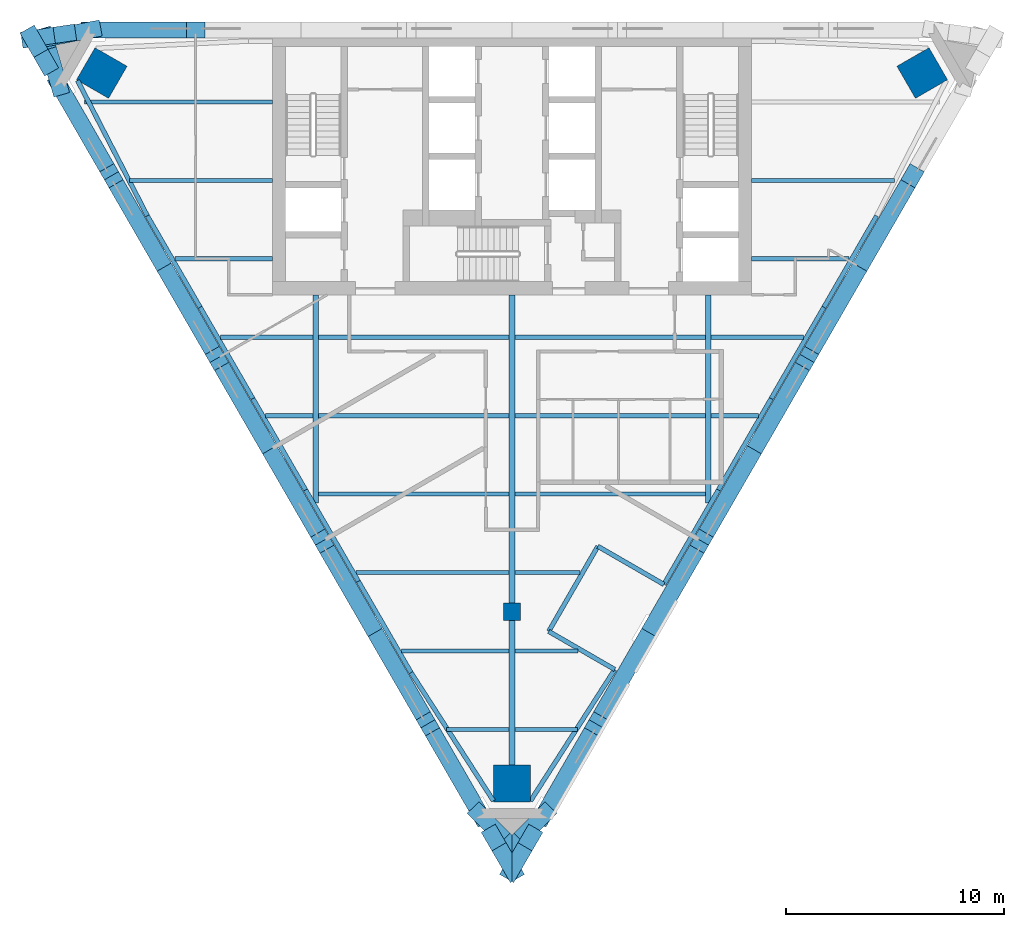
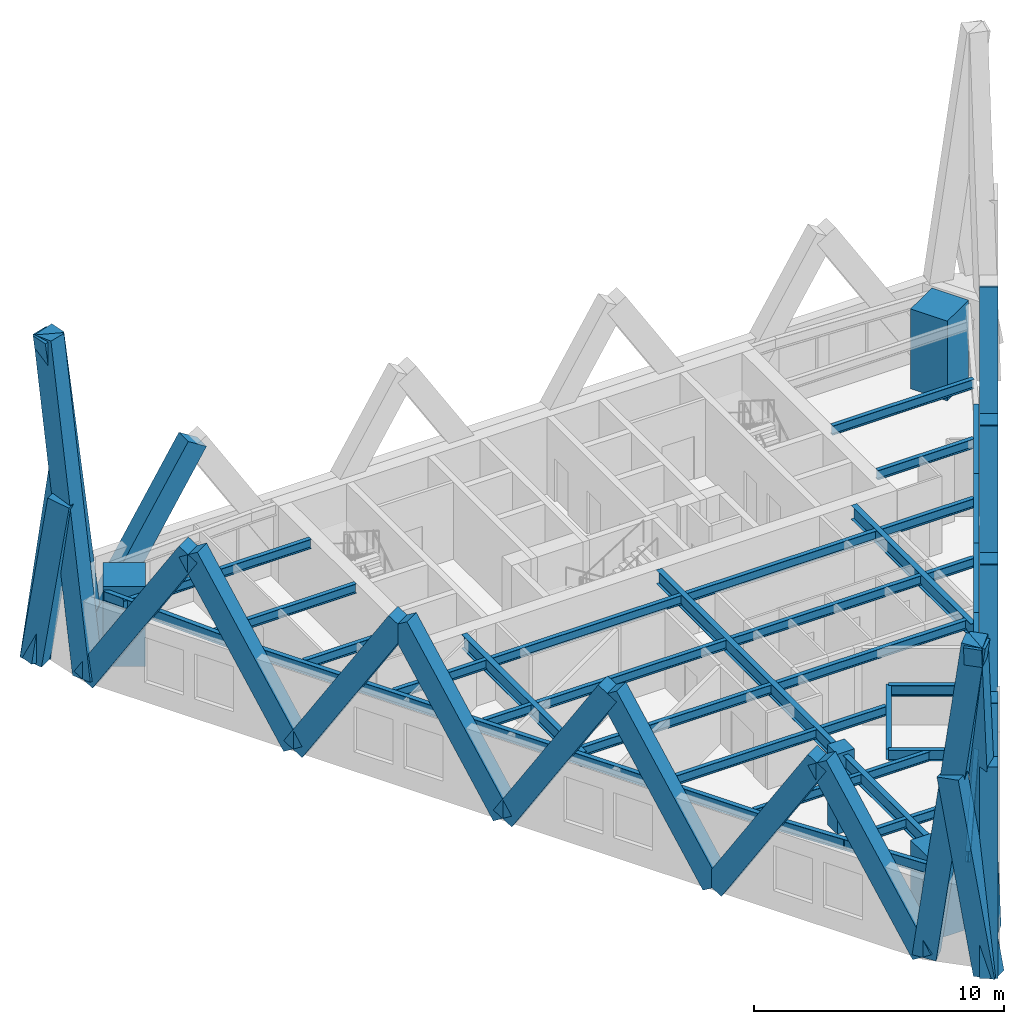
# One storey, part 1 of 7: 40 beams, 24 members, 4 columns.
"""IFC4 building model written with IfcOpenShell, lengths in metres."""

from ifc_helpers import new_model, si_unit, direction, frame, origin, origin_2d, place, context, subcontext, project, spatial, rectangle, i_section, extrude, material, material_profile, profile_set, type_object, element, save


model = new_model("IFC4")

# Units and contexts
model_context = context("Model", 3, precision=1e-05, world=origin(), true_north=direction((0.0, 1.0)))
body_context = subcontext(model_context, "Body", "Model", "MODEL_VIEW")
ifc_project = project(units=[si_unit("LENGTHUNIT", "METRE"), si_unit("AREAUNIT", "SQUARE_METRE"), si_unit("VOLUMEUNIT", "CUBIC_METRE"), si_unit("PLANEANGLEUNIT", "RADIAN"), si_unit("MASSUNIT", "GRAM", prefix="KILO")], contexts=[model_context])

# Site, building, storey
site_placement = place(None, origin())
site = spatial("IfcSite", under=ifc_project, at=site_placement, CompositionType="ELEMENT")
building_placement = place(site_placement, origin())
building = spatial("IfcBuilding", under=site, at=building_placement, Name="Aloe Facet Convention Tower", CompositionType="ELEMENT")
storey_placement = place(building_placement, frame((0.0, 0.0, 211.39990234375)))
storey = spatial("IfcBuildingStorey", under=building, at=storey_placement, Name="L53", CompositionType="ELEMENT", Elevation=211.39990234375)

# Columns
ifc_material_1 = material(Name="Concrete C70/85", Category="concrete")
ifc_material_profile_1 = material_profile(ifc_material_1, rectangle(XDim=0.800048828125, YDim=0.800048828125, at=origin_2d()), Name="SF-GC-Z4")
ifc_profile_set_1 = profile_set([ifc_material_profile_1], Name="Concrete C70/85")
column_type_1 = type_object("IfcColumnType", Name="SF-GC-Z4", PredefinedType="COLUMN", material=ifc_profile_set_1)
column_placement = place(storey_placement, frame((80.0, 108.0, 0.0), z_axis=(0.0, 0.0, 1.0), x_axis=(1.0, 0.0, 0.0)))
element("IfcColumn", 1, at=column_placement, inside=storey, type_object=column_type_1, Name="Gravity column GC-Z4-9D", PredefinedType="COLUMN", context=body_context, shape_type="SweptSolid", body=[
    extrude(rectangle(XDim=0.800048828125, YDim=0.800048828125, at=origin_2d()), origin(), (0.0, 0.0, 1.0), 3.900146484375),
])
ifc_material_2 = material(Name="Concrete C80/95", Category="concrete")
ifc_material_profile_2 = material_profile(ifc_material_2, rectangle(XDim=1.699951171875, YDim=1.699951171875, at=origin_2d()), Name="STW-MC-Z4")
ifc_profile_set_2 = profile_set([ifc_material_profile_2], Name="Concrete C80/95")
column_type_2 = type_object("IfcColumnType", Name="STW-MC-Z4", PredefinedType="COLUMN", material=ifc_profile_set_2)
for number, where, z_axis, x_axis, name in (
    (2, (98.828857421875, 132.727783203125, 0.0), (0.0, 0.0, 1.0), (-0.5, 0.866025403784, 0.0), "Mega-column MC-NE-L53"),
    (3, (61.171142578125, 132.727783203125, 0.0), (0.0, 0.0, 1.0), (-0.5, -0.866025403784, 0.0), "Mega-column MC-NW-L53"),
    (4, (80.0, 100.114990234375, 0.0), (0.0, 0.0, 1.0), (1.0, 0.0, 0.0), "Mega-column MC-S-L53"),
):
    element("IfcColumn", number, at=place(storey_placement, frame(where, z_axis=z_axis, x_axis=x_axis)), inside=storey, type_object=column_type_2, Name=name, PredefinedType="COLUMN", context=body_context, shape_type="SweptSolid", body=[
        extrude(rectangle(XDim=1.699951171875, YDim=1.699951171875, at=origin_2d()), origin(), (0.0, 0.0, 1.0), 3.900146484375),
    ])

# Beams
ifc_material_3 = material(Name="Steel S355", Category="steel")
ifc_material_profile_3 = material_profile(ifc_material_3, i_section(OverallWidth=0.19140625, OverallDepth=0.4599609375, WebThickness=0.010009765625, FlangeThickness=0.01611328125, FilletRadius=0.01025390625, at=origin_2d()), Name="UB 457x191x82")
ifc_profile_set_3 = profile_set([ifc_material_profile_3], Name="Steel S355")
beam_type_1 = type_object("IfcBeamType", Name="SF-B-UB457x191x82", PredefinedType="BEAM", material=ifc_profile_set_3)
beam_1_placement = place(storey_placement, frame((60.373779296875, 131.39990234375, 3.52001953125), z_axis=(1.0, 0.0, 0.0), x_axis=(0.0, 1.0, 0.0)))
element("IfcBeam", 5, at=beam_1_placement, inside=storey, type_object=beam_type_1, Name="Floor beam FB-Z4G-025", PredefinedType="BEAM", context=body_context, shape_type="SweptSolid", body=[
    extrude(i_section(OverallWidth=0.19140625, OverallDepth=0.4599609375, WebThickness=0.010009765625, FlangeThickness=0.01611328125, FilletRadius=0.01025390625, at=origin_2d()), origin(), (0.0, 0.0, 1.0), 8.626220703125),
])
beam_2_placement = place(storey_placement, frame((62.452392578125, 127.800048828125, 3.52001953125), z_axis=(1.0, 0.0, 0.0), x_axis=(0.0, 1.0, 0.0)))
element("IfcBeam", 6, at=beam_2_placement, inside=storey, type_object=beam_type_1, Name="Floor beam FB-Z4G-026", PredefinedType="BEAM", context=body_context, shape_type="SweptSolid", body=[
    extrude(i_section(OverallWidth=0.19140625, OverallDepth=0.4599609375, WebThickness=0.010009765625, FlangeThickness=0.01611328125, FilletRadius=0.01025390625, at=origin_2d()), origin(), (0.0, 0.0, 1.0), 6.547607421875),
])
beam_3_placement = place(storey_placement, frame((64.53076171875, 124.199951171875, 3.52001953125), z_axis=(1.0, 0.0, 0.0), x_axis=(0.0, 1.0, 0.0)))
element("IfcBeam", 7, at=beam_3_placement, inside=storey, type_object=beam_type_1, Name="Floor beam FB-Z4G-027", PredefinedType="BEAM", context=body_context, shape_type="SweptSolid", body=[
    extrude(i_section(OverallWidth=0.19140625, OverallDepth=0.4599609375, WebThickness=0.010009765625, FlangeThickness=0.01611328125, FilletRadius=0.01025390625, at=origin_2d()), origin(), (0.0, 0.0, 1.0), 4.46923828125),
])
beam_4_placement = place(storey_placement, frame((66.609130859375, 120.60009765625, 3.52001953125), z_axis=(1.0, 0.0, 0.0), x_axis=(0.0, 1.0, 0.0)))
element("IfcBeam", 8, at=beam_4_placement, inside=storey, type_object=beam_type_1, Name="Floor beam FB-Z4G-028", PredefinedType="BEAM", context=body_context, shape_type="SweptSolid", body=[
    extrude(i_section(OverallWidth=0.19140625, OverallDepth=0.4599609375, WebThickness=0.010009765625, FlangeThickness=0.01611328125, FilletRadius=0.01025390625, at=origin_2d()), origin(), (0.0, 0.0, 1.0), 4.264404296875),
])
beam_5_placement = place(storey_placement, frame((68.687744140625, 117.0, 3.52001953125), z_axis=(1.0, 0.0, 0.0), x_axis=(0.0, 1.0, 0.0)))
element("IfcBeam", 9, at=beam_5_placement, inside=storey, type_object=beam_type_1, Name="Floor beam FB-Z4G-029", PredefinedType="BEAM", context=body_context, shape_type="SweptSolid", body=[
    extrude(i_section(OverallWidth=0.19140625, OverallDepth=0.4599609375, WebThickness=0.010009765625, FlangeThickness=0.01611328125, FilletRadius=0.01025390625, at=origin_2d()), origin(), (0.0, 0.0, 1.0), 2.185791015625),
])
for number, where, z_axis, x_axis, name in (
    (10, (71.12646484375, 113.39990234375, 3.52001953125), (1.0, 0.0, 0.0), (0.0, 1.0, 0.0), "Floor beam FB-Z4G-030"),
    (11, (71.12646484375, 117.0, 3.52001953125), (1.0, 0.0, 0.0), (0.0, 1.0, 0.0), "Floor beam FB-Z4G-031"),
    (12, (71.12646484375, 120.60009765625, 3.52001953125), (1.0, 0.0, 0.0), (0.0, 1.0, 0.0), "Floor beam FB-Z4G-032"),
):
    element("IfcBeam", number, at=place(storey_placement, frame(where, z_axis=z_axis, x_axis=x_axis)), inside=storey, type_object=beam_type_1, Name=name, PredefinedType="BEAM", context=body_context, shape_type="SweptSolid", body=[
        extrude(i_section(OverallWidth=0.19140625, OverallDepth=0.4599609375, WebThickness=0.010009765625, FlangeThickness=0.01611328125, FilletRadius=0.01025390625, at=origin_2d()), origin(), (0.0, 0.0, 1.0), 8.7470703125),
    ])
beam_6_placement = place(storey_placement, frame((72.844482421875, 109.800048828125, 3.52001953125), z_axis=(1.0, 0.0, 0.0), x_axis=(0.0, 1.0, 0.0)))
element("IfcBeam", 13, at=beam_6_placement, inside=storey, type_object=beam_type_1, Name="Floor beam FB-Z4G-033", PredefinedType="BEAM", context=body_context, shape_type="SweptSolid", body=[
    extrude(i_section(OverallWidth=0.19140625, OverallDepth=0.4599609375, WebThickness=0.010009765625, FlangeThickness=0.01611328125, FilletRadius=0.01025390625, at=origin_2d()), origin(), (0.0, 0.0, 1.0), 7.029052734375),
])
beam_7_placement = place(storey_placement, frame((74.923095703125, 106.199951171875, 3.52001953125), z_axis=(1.0, 0.0, 0.0), x_axis=(0.0, 1.0, 0.0)))
element("IfcBeam", 14, at=beam_7_placement, inside=storey, type_object=beam_type_1, Name="Floor beam FB-Z4G-034", PredefinedType="BEAM", context=body_context, shape_type="SweptSolid", body=[
    extrude(i_section(OverallWidth=0.19140625, OverallDepth=0.4599609375, WebThickness=0.010009765625, FlangeThickness=0.01611328125, FilletRadius=0.01025390625, at=origin_2d()), origin(), (0.0, 0.0, 1.0), 4.950439453125),
])
for number, where, z_axis, x_axis, name in (
    (15, (77.00146484375, 102.60009765625, 3.52001953125), (1.0, 0.0, 0.0), (0.0, 1.0, 0.0), "Floor beam FB-Z4G-035"),
    (16, (80.12646484375, 102.60009765625, 3.52001953125), (1.0, 0.0, 0.0), (0.0, 1.0, 0.0), "Floor beam FB-Z4G-036"),
):
    element("IfcBeam", number, at=place(storey_placement, frame(where, z_axis=z_axis, x_axis=x_axis)), inside=storey, type_object=beam_type_1, Name=name, PredefinedType="BEAM", context=body_context, shape_type="SweptSolid", body=[
        extrude(i_section(OverallWidth=0.19140625, OverallDepth=0.4599609375, WebThickness=0.010009765625, FlangeThickness=0.01611328125, FilletRadius=0.01025390625, at=origin_2d()), origin(), (0.0, 0.0, 1.0), 2.8720703125),
    ])
beam_8_placement = place(storey_placement, frame((80.12646484375, 106.199951171875, 3.52001953125), z_axis=(1.0, 0.0, 0.0), x_axis=(0.0, 1.0, 0.0)))
element("IfcBeam", 17, at=beam_8_placement, inside=storey, type_object=beam_type_1, Name="Floor beam FB-Z4G-037", PredefinedType="BEAM", context=body_context, shape_type="SweptSolid", body=[
    extrude(i_section(OverallWidth=0.19140625, OverallDepth=0.4599609375, WebThickness=0.010009765625, FlangeThickness=0.01611328125, FilletRadius=0.01025390625, at=origin_2d()), origin(), (0.0, 0.0, 1.0), 2.898681640625),
])
beam_9_placement = place(storey_placement, frame((80.12646484375, 109.800048828125, 3.52001953125), z_axis=(1.0, 0.0, 0.0), x_axis=(0.0, 1.0, 0.0)))
element("IfcBeam", 18, at=beam_9_placement, inside=storey, type_object=beam_type_1, Name="Floor beam FB-Z4G-038", PredefinedType="BEAM", context=body_context, shape_type="SweptSolid", body=[
    extrude(i_section(OverallWidth=0.19140625, OverallDepth=0.4599609375, WebThickness=0.010009765625, FlangeThickness=0.01611328125, FilletRadius=0.01025390625, at=origin_2d()), origin(), (0.0, 0.0, 1.0), 2.987548828125),
])
for number, where, z_axis, x_axis, name in (
    (19, (80.12646484375, 113.39990234375, 3.52001953125), (1.0, 0.0, 0.0), (0.0, 1.0, 0.0), "Floor beam FB-Z4G-039"),
    (20, (80.12646484375, 117.0, 3.52001953125), (1.0, 0.0, 0.0), (0.0, 1.0, 0.0), "Floor beam FB-Z4G-040"),
    (21, (80.12646484375, 120.60009765625, 3.52001953125), (1.0, 0.0, 0.0), (0.0, 1.0, 0.0), "Floor beam FB-Z4G-041"),
):
    element("IfcBeam", number, at=place(storey_placement, frame(where, z_axis=z_axis, x_axis=x_axis)), inside=storey, type_object=beam_type_1, Name=name, PredefinedType="BEAM", context=body_context, shape_type="SweptSolid", body=[
        extrude(i_section(OverallWidth=0.19140625, OverallDepth=0.4599609375, WebThickness=0.010009765625, FlangeThickness=0.01611328125, FilletRadius=0.01025390625, at=origin_2d()), origin(), (0.0, 0.0, 1.0), 8.7470703125),
    ])
beam_10_placement = place(storey_placement, frame((89.12646484375, 117.0, 3.52001953125), z_axis=(1.0, 0.0, 0.0), x_axis=(0.0, 1.0, 0.0)))
element("IfcBeam", 22, at=beam_10_placement, inside=storey, type_object=beam_type_1, Name="Floor beam FB-Z4G-042", PredefinedType="BEAM", context=body_context, shape_type="SweptSolid", body=[
    extrude(i_section(OverallWidth=0.19140625, OverallDepth=0.4599609375, WebThickness=0.010009765625, FlangeThickness=0.01611328125, FilletRadius=0.01025390625, at=origin_2d()), origin(), (0.0, 0.0, 1.0), 2.185791015625),
])
beam_11_placement = place(storey_placement, frame((89.12646484375, 120.60009765625, 3.52001953125), z_axis=(1.0, 0.0, 0.0), x_axis=(0.0, 1.0, 0.0)))
element("IfcBeam", 23, at=beam_11_placement, inside=storey, type_object=beam_type_1, Name="Floor beam FB-Z4G-043", PredefinedType="BEAM", context=body_context, shape_type="SweptSolid", body=[
    extrude(i_section(OverallWidth=0.19140625, OverallDepth=0.4599609375, WebThickness=0.010009765625, FlangeThickness=0.01611328125, FilletRadius=0.01025390625, at=origin_2d()), origin(), (0.0, 0.0, 1.0), 4.264404296875),
])
beam_12_placement = place(storey_placement, frame((91.0, 124.199951171875, 3.52001953125), z_axis=(1.0, 0.0, 0.0), x_axis=(0.0, 1.0, 0.0)))
element("IfcBeam", 24, at=beam_12_placement, inside=storey, type_object=beam_type_1, Name="Floor beam FB-Z4G-044", PredefinedType="BEAM", context=body_context, shape_type="SweptSolid", body=[
    extrude(i_section(OverallWidth=0.19140625, OverallDepth=0.4599609375, WebThickness=0.010009765625, FlangeThickness=0.01611328125, FilletRadius=0.01025390625, at=origin_2d()), origin(), (0.0, 0.0, 1.0), 4.46923828125),
])
beam_13_placement = place(storey_placement, frame((91.0, 127.800048828125, 3.52001953125), z_axis=(1.0, 0.0, 0.0), x_axis=(0.0, 1.0, 0.0)))
element("IfcBeam", 25, at=beam_13_placement, inside=storey, type_object=beam_type_1, Name="Floor beam FB-Z4G-045", PredefinedType="BEAM", context=body_context, shape_type="SweptSolid", body=[
    extrude(i_section(OverallWidth=0.19140625, OverallDepth=0.4599609375, WebThickness=0.010009765625, FlangeThickness=0.01611328125, FilletRadius=0.01025390625, at=origin_2d()), origin(), (0.0, 0.0, 1.0), 6.547607421875),
])
ifc_material_4 = material(Name="Steel S355", Category="steel")
ifc_material_profile_4 = material_profile(ifc_material_4, i_section(OverallWidth=0.209228515625, OverallDepth=0.533203125, WebThickness=0.010009765625, FlangeThickness=0.015625, FilletRadius=0.0126953125, at=origin_2d()), Name="UB 533x210x92")
ifc_profile_set_4 = profile_set([ifc_material_profile_4], Name="Steel S355")
beam_type_2 = type_object("IfcBeamType", Name="SF-B-UB533x210x92", PredefinedType="BEAM", material=ifc_profile_set_4)
beam_14_placement = place(storey_placement, frame((63.26318359375, 126.1689453125, 3.483642578125), z_axis=(-0.458134533977, 0.888882865611, 0.0), x_axis=(-0.888882865611, -0.458134533977, 0.0)))
element("IfcBeam", 26, at=beam_14_placement, inside=storey, type_object=beam_type_2, Name="Floor beam FB-Z4G-002", PredefinedType="BEAM", context=body_context, shape_type="SweptSolid", body=[
    extrude(i_section(OverallWidth=0.209228515625, OverallDepth=0.533203125, WebThickness=0.010009765625, FlangeThickness=0.015625, FilletRadius=0.0126953125, at=origin_2d()), origin(), (0.0, 0.0, 1.0), 6.998046875),
])
for number, where, z_axis, x_axis, name in (
    (27, (65.68359375, 121.976318359375, 3.483642578125), (-0.499968373182, 0.866043662766, 0.0), (-0.866043662766, -0.499968373182, 0.0), "Floor beam FB-Z4G-003"),
    (28, (68.104248046875, 117.783935546875, 3.483642578125), (-0.500028033741, 0.866009217892, 0.0), (-0.866009217892, -0.500028033741, 0.0), "Floor beam FB-Z4G-005"),
):
    element("IfcBeam", number, at=place(storey_placement, frame(where, z_axis=z_axis, x_axis=x_axis)), inside=storey, type_object=beam_type_2, Name=name, PredefinedType="BEAM", context=body_context, shape_type="SweptSolid", body=[
        extrude(i_section(OverallWidth=0.209228515625, OverallDepth=0.533203125, WebThickness=0.010009765625, FlangeThickness=0.015625, FilletRadius=0.0126953125, at=origin_2d()), origin(), (0.0, 0.0, 1.0), 4.841064453125),
    ])
beam_15_placement = place(storey_placement, frame((70.52490234375, 113.59130859375, 3.483642578125), z_axis=(-0.500006196252, 0.866021826347, 0.0), x_axis=(-0.866021826347, -0.500006196252, 0.0)))
element("IfcBeam", 29, at=beam_15_placement, inside=storey, type_object=beam_type_2, Name="Floor beam FB-Z4G-006", PredefinedType="BEAM", context=body_context, shape_type="SweptSolid", body=[
    extrude(i_section(OverallWidth=0.209228515625, OverallDepth=0.533203125, WebThickness=0.010009765625, FlangeThickness=0.015625, FilletRadius=0.0126953125, at=origin_2d()), origin(), (0.0, 0.0, 1.0), 4.84130859375),
])
for number, where, z_axis, x_axis, name in (
    (30, (72.9453125, 109.398681640625, 3.483642578125), (-0.499968373182, 0.866043662766, 0.0), (-0.866043662766, -0.499968373182, 0.0), "Floor beam FB-Z4G-007"),
    (31, (75.365966796875, 105.206298828125, 3.483642578125), (-0.500028033741, 0.866009217892, 0.0), (-0.866009217892, -0.500028033741, 0.0), "Floor beam FB-Z4G-008"),
):
    element("IfcBeam", number, at=place(storey_placement, frame(where, z_axis=z_axis, x_axis=x_axis)), inside=storey, type_object=beam_type_2, Name=name, PredefinedType="BEAM", context=body_context, shape_type="SweptSolid", body=[
        extrude(i_section(OverallWidth=0.209228515625, OverallDepth=0.533203125, WebThickness=0.010009765625, FlangeThickness=0.015625, FilletRadius=0.0126953125, at=origin_2d()), origin(), (0.0, 0.0, 1.0), 4.841064453125),
    ])
beam_16_placement = place(storey_placement, frame((79.14990234375, 99.319580078125, 3.483642578125), z_axis=(-0.540718799045, 0.841203411999, 0.0), x_axis=(-0.841203411999, -0.540718799045, 0.0)))
element("IfcBeam", 32, at=beam_16_placement, inside=storey, type_object=beam_type_2, Name="Floor beam FB-Z4G-009", PredefinedType="BEAM", context=body_context, shape_type="SweptSolid", body=[
    extrude(i_section(OverallWidth=0.209228515625, OverallDepth=0.533203125, WebThickness=0.010009765625, FlangeThickness=0.015625, FilletRadius=0.0126953125, at=origin_2d()), origin(), (0.0, 0.0, 1.0), 6.998046875),
])
beam_17_placement = place(storey_placement, frame((81.685791015625, 107.099853515625, 3.483642578125), z_axis=(0.866036909293, -0.499980071345, 0.0), x_axis=(0.499980071345, 0.866036909293, 0.0)))
element("IfcBeam", 33, at=beam_17_placement, inside=storey, type_object=beam_type_2, Name="Floor beam FB-Z4G-010", PredefinedType="BEAM", context=body_context, shape_type="SweptSolid", body=[
    extrude(i_section(OverallWidth=0.209228515625, OverallDepth=0.533203125, WebThickness=0.010009765625, FlangeThickness=0.015625, FilletRadius=0.0126953125, at=origin_2d()), origin(), (0.0, 0.0, 1.0), 3.500244140625),
])
beam_18_placement = place(storey_placement, frame((83.9404296875, 111.0048828125, 3.483642578125), z_axis=(-0.500011469263, -0.866018781901, 0.0), x_axis=(0.866018781901, -0.500011469263, 0.0)))
element("IfcBeam", 34, at=beam_18_placement, inside=storey, type_object=beam_type_2, Name="Floor beam FB-Z4G-011", PredefinedType="BEAM", context=body_context, shape_type="SweptSolid", body=[
    extrude(i_section(OverallWidth=0.209228515625, OverallDepth=0.533203125, WebThickness=0.010009765625, FlangeThickness=0.015625, FilletRadius=0.0126953125, at=origin_2d()), origin(), (0.0, 0.0, 1.0), 4.50927734375),
])
beam_19_placement = place(storey_placement, frame((84.717041015625, 105.349853515625, 3.483642578125), z_axis=(-0.539802985914, -0.84179138532, 0.0), x_axis=(0.84179138532, -0.539802985914, 0.0)))
element("IfcBeam", 35, at=beam_19_placement, inside=storey, type_object=beam_type_2, Name="Floor beam FB-Z4G-012", PredefinedType="BEAM", context=body_context, shape_type="SweptSolid", body=[
    extrude(i_section(OverallWidth=0.209228515625, OverallDepth=0.533203125, WebThickness=0.010009765625, FlangeThickness=0.015625, FilletRadius=0.0126953125, at=origin_2d()), origin(), (0.0, 0.0, 1.0), 7.16357421875),
])
beam_20_placement = place(storey_placement, frame((86.9716796875, 109.2548828125, 3.483642578125), z_axis=(-0.866036909293, 0.499980071345, 0.0), x_axis=(-0.499980071345, -0.866036909293, 0.0)))
element("IfcBeam", 36, at=beam_20_placement, inside=storey, type_object=beam_type_2, Name="Floor beam FB-Z4G-013", PredefinedType="BEAM", context=body_context, shape_type="SweptSolid", body=[
    extrude(i_section(OverallWidth=0.209228515625, OverallDepth=0.533203125, WebThickness=0.010009765625, FlangeThickness=0.015625, FilletRadius=0.0126953125, at=origin_2d()), origin(), (0.0, 0.0, 1.0), 3.500244140625),
])
beam_21_placement = place(storey_placement, frame((89.47509765625, 113.59130859375, 3.483642578125), z_axis=(-0.499967253055, -0.866044309417, 0.0), x_axis=(0.866044309417, -0.499967253055, 0.0)))
element("IfcBeam", 37, at=beam_21_placement, inside=storey, type_object=beam_type_2, Name="Floor beam FB-Z4G-014", PredefinedType="BEAM", context=body_context, shape_type="SweptSolid", body=[
    extrude(i_section(OverallWidth=0.209228515625, OverallDepth=0.533203125, WebThickness=0.010009765625, FlangeThickness=0.015625, FilletRadius=0.0126953125, at=origin_2d()), origin(), (0.0, 0.0, 1.0), 5.007080078125),
])
beam_22_placement = place(storey_placement, frame((91.895751953125, 117.783935546875, 3.483642578125), z_axis=(-0.500006196252, -0.866021826347, 0.0), x_axis=(0.866021826347, -0.500006196252, 0.0)))
element("IfcBeam", 38, at=beam_22_placement, inside=storey, type_object=beam_type_2, Name="Floor beam FB-Z4G-016", PredefinedType="BEAM", context=body_context, shape_type="SweptSolid", body=[
    extrude(i_section(OverallWidth=0.209228515625, OverallDepth=0.533203125, WebThickness=0.010009765625, FlangeThickness=0.015625, FilletRadius=0.0126953125, at=origin_2d()), origin(), (0.0, 0.0, 1.0), 4.84130859375),
])
for number, where, z_axis, x_axis, name in (
    (39, (94.31640625, 121.976318359375, 3.483642578125), (-0.500028033741, -0.866009217892, 0.0), (0.866009217892, -0.500028033741, 0.0), "Floor beam FB-Z4G-018"),
    (40, (96.73681640625, 126.1689453125, 3.483642578125), (-0.499968373182, -0.866043662766, 0.0), (0.866043662766, -0.499968373182, 0.0), "Floor beam FB-Z4G-019"),
):
    element("IfcBeam", number, at=place(storey_placement, frame(where, z_axis=z_axis, x_axis=x_axis)), inside=storey, type_object=beam_type_2, Name=name, PredefinedType="BEAM", context=body_context, shape_type="SweptSolid", body=[
        extrude(i_section(OverallWidth=0.209228515625, OverallDepth=0.533203125, WebThickness=0.010009765625, FlangeThickness=0.015625, FilletRadius=0.0126953125, at=origin_2d()), origin(), (0.0, 0.0, 1.0), 4.841064453125),
    ])
ifc_material_5 = material(Name="Steel S355", Category="steel")
ifc_material_profile_5 = material_profile(ifc_material_5, i_section(OverallWidth=0.2529296875, OverallDepth=0.677978515625, WebThickness=0.01171875, FlangeThickness=0.01611328125, FilletRadius=0.01513671875, at=origin_2d()), Name="UB 686x254x125")
ifc_profile_set_5 = profile_set([ifc_material_profile_5], Name="Steel S355")
beam_type_3 = type_object("IfcBeamType", Name="SF-B-UB686x254x125", PredefinedType="BEAM", material=ifc_profile_set_5)
beam_23_placement = place(storey_placement, frame((71.0, 122.550048828125, 3.4111328125), z_axis=(0.0, -1.0, 0.0), x_axis=(1.0, 0.0, 0.0)))
element("IfcBeam", 41, at=beam_23_placement, inside=storey, type_object=beam_type_3, Name="Floor beam FB-Z4G-021", PredefinedType="BEAM", context=body_context, shape_type="SweptSolid", body=[
    extrude(i_section(OverallWidth=0.2529296875, OverallDepth=0.677978515625, WebThickness=0.01171875, FlangeThickness=0.01611328125, FilletRadius=0.01513671875, at=origin_2d()), origin(), (0.0, 0.0, 1.0), 9.5625),
])
beam_24_placement = place(storey_placement, frame((80.0, 107.60009765625, 3.4111328125), z_axis=(0.0, -1.0, 0.0), x_axis=(1.0, 0.0, 0.0)))
element("IfcBeam", 42, at=beam_24_placement, inside=storey, type_object=beam_type_3, Name="Floor beam FB-Z4G-022", PredefinedType="BEAM", context=body_context, shape_type="SweptSolid", body=[
    extrude(i_section(OverallWidth=0.2529296875, OverallDepth=0.677978515625, WebThickness=0.01171875, FlangeThickness=0.01611328125, FilletRadius=0.01513671875, at=origin_2d()), origin(), (0.0, 0.0, 1.0), 8.165771484375),
])
beam_25_placement = place(storey_placement, frame((80.0, 122.550048828125, 3.4111328125), z_axis=(0.0, -1.0, 0.0), x_axis=(1.0, 0.0, 0.0)))
element("IfcBeam", 43, at=beam_25_placement, inside=storey, type_object=beam_type_3, Name="Floor beam FB-Z4G-023", PredefinedType="BEAM", context=body_context, shape_type="SweptSolid", body=[
    extrude(i_section(OverallWidth=0.2529296875, OverallDepth=0.677978515625, WebThickness=0.01171875, FlangeThickness=0.01611328125, FilletRadius=0.01513671875, at=origin_2d()), origin(), (0.0, 0.0, 1.0), 14.150146484375),
])
beam_26_placement = place(storey_placement, frame((89.0, 122.550048828125, 3.4111328125), z_axis=(0.0, -1.0, 0.0), x_axis=(1.0, 0.0, 0.0)))
element("IfcBeam", 44, at=beam_26_placement, inside=storey, type_object=beam_type_3, Name="Floor beam FB-Z4G-024", PredefinedType="BEAM", context=body_context, shape_type="SweptSolid", body=[
    extrude(i_section(OverallWidth=0.2529296875, OverallDepth=0.677978515625, WebThickness=0.01171875, FlangeThickness=0.01611328125, FilletRadius=0.01513671875, at=origin_2d()), origin(), (0.0, 0.0, 1.0), 9.5625),
])

# Members
ifc_material_6 = material(Name="Concrete C60/75, bronze oxide finish", Category="concrete")
ifc_material_profile_6 = material_profile(ifc_material_6, rectangle(XDim=0.75, YDim=1.0, at=origin_2d()), Name="STW-LM")
ifc_profile_set_6 = profile_set([ifc_material_profile_6], Name="Concrete C60/75, bronze oxide finish")
member_type = type_object("IfcMemberType", Name="STW-LM", PredefinedType="BRACE", material=ifc_profile_set_6)
for number, where, z_axis, x_axis, name in (
    (45, (60.635498046875, 134.699951171875, 0.0), (0.52733571948, 0.0, 0.849657012541), (0.0, 1.0, 0.0), "Lattice member LM-Z4-F1-R4-08"),
    (46, (59.1953125, 132.20556640625, 0.0), (0.263653622482, -0.456699985767, 0.84965398272), (0.866043662766, 0.499968373182, 0.0), "Lattice member LM-Z4-F2-R4-01"),
):
    element("IfcMember", number, at=place(storey_placement, frame(where, z_axis=z_axis, x_axis=x_axis)), inside=storey, type_object=member_type, Name=name, PredefinedType="BRACE", context=body_context, shape_type="SweptSolid", body=[
        extrude(rectangle(XDim=0.75, YDim=1.0, at=origin_2d()), origin(), (0.0, 0.0, 1.0), 9.18017578125),
    ])
member_1_placement = place(storey_placement, frame((64.036376953125, 123.8203125, 0.0), z_axis=(-0.263678367654, 0.456696783431, 0.849648025029), x_axis=(-0.866021826347, -0.500006196252, 0.0)))
element("IfcMember", 47, at=member_1_placement, inside=storey, type_object=member_type, Name="Lattice member LM-Z4-F2-R4-02", PredefinedType="BRACE", context=body_context, shape_type="SweptSolid", body=[
    extrude(rectangle(XDim=0.75, YDim=1.0, at=origin_2d()), origin(), (0.0, 0.0, 1.0), 9.180419921875),
])
for number, where, z_axis, x_axis, name in (
    (48, (64.036376953125, 123.8203125, 0.0), (0.263681570082, -0.456675735901, 0.849658344182), (0.866009217892, 0.500028033741, 0.0), "Lattice member LM-Z4-F2-R4-03"),
    (49, (68.87744140625, 115.435302734375, 0.0), (-0.263653622482, 0.456699985767, 0.84965398272), (-0.866043662766, -0.499968373182, 0.0), "Lattice member LM-Z4-F2-R4-04"),
):
    element("IfcMember", number, at=place(storey_placement, frame(where, z_axis=z_axis, x_axis=x_axis)), inside=storey, type_object=member_type, Name=name, PredefinedType="BRACE", context=body_context, shape_type="SweptSolid", body=[
        extrude(rectangle(XDim=0.75, YDim=1.0, at=origin_2d()), origin(), (0.0, 0.0, 1.0), 9.18017578125),
    ])
for number, where, z_axis, x_axis, name in (
    (50, (68.87744140625, 115.435302734375, 0.0), (0.263678367654, -0.456696783431, 0.849648025029), (0.866021826347, 0.500006196252, 0.0), "Lattice member LM-Z4-F2-R4-05"),
    (51, (73.71875, 107.050048828125, 0.0), (-0.263678367654, 0.456696783431, 0.849648025029), (-0.866021826347, -0.500006196252, 0.0), "Lattice member LM-Z4-F2-R4-06"),
):
    element("IfcMember", number, at=place(storey_placement, frame(where, z_axis=z_axis, x_axis=x_axis)), inside=storey, type_object=member_type, Name=name, PredefinedType="BRACE", context=body_context, shape_type="SweptSolid", body=[
        extrude(rectangle(XDim=0.75, YDim=1.0, at=origin_2d()), origin(), (0.0, 0.0, 1.0), 9.180419921875),
    ])
member_2_placement = place(storey_placement, frame((73.71875, 107.050048828125, 0.0), z_axis=(0.263656824656, -0.456678938167, 0.849664302091), x_axis=(0.8660310559, 0.499990210121, 0.0)))
element("IfcMember", 52, at=member_2_placement, inside=storey, type_object=member_type, Name="Lattice member LM-Z4-F2-R4-07", PredefinedType="BRACE", context=body_context, shape_type="SweptSolid", body=[
    extrude(rectangle(XDim=0.75, YDim=1.0, at=origin_2d()), origin(), (0.0, 0.0, 1.0), 9.18017578125),
])
for number, where, z_axis, x_axis, name in (
    (53, (78.559814453125, 98.6650390625, 0.0), (-0.263678367654, 0.456696783431, 0.849648025029), (-0.866021826347, -0.500006196252, 0.0), "Lattice member LM-Z4-F2-R4-08"),
    (54, (81.440185546875, 98.6650390625, 0.0), (0.263678367654, 0.456696783431, 0.849648025029), (-0.866021826347, 0.500006196252, 0.0), "Lattice member LM-Z4-F3-R4-01"),
):
    element("IfcMember", number, at=place(storey_placement, frame(where, z_axis=z_axis, x_axis=x_axis)), inside=storey, type_object=member_type, Name=name, PredefinedType="BRACE", context=body_context, shape_type="SweptSolid", body=[
        extrude(rectangle(XDim=0.75, YDim=1.0, at=origin_2d()), origin(), (0.0, 0.0, 1.0), 9.180419921875),
    ])
member_3_placement = place(storey_placement, frame((86.28125, 107.050048828125, 0.0), z_axis=(-0.263656824656, -0.456678938167, 0.849664302091), x_axis=(0.8660310559, -0.499990210121, 0.0)))
element("IfcMember", 55, at=member_3_placement, inside=storey, type_object=member_type, Name="Lattice member LM-Z4-F3-R4-02", PredefinedType="BRACE", context=body_context, shape_type="SweptSolid", body=[
    extrude(rectangle(XDim=0.75, YDim=1.0, at=origin_2d()), origin(), (0.0, 0.0, 1.0), 9.18017578125),
])
for number, where, z_axis, x_axis, name in (
    (56, (86.28125, 107.050048828125, 0.0), (0.263678367654, 0.456696783431, 0.849648025029), (-0.866021826347, 0.500006196252, 0.0), "Lattice member LM-Z4-F3-R4-03"),
    (57, (91.12255859375, 115.435302734375, 0.0), (-0.263678367654, -0.456696783431, 0.849648025029), (0.866021826347, -0.500006196252, 0.0), "Lattice member LM-Z4-F3-R4-04"),
):
    element("IfcMember", number, at=place(storey_placement, frame(where, z_axis=z_axis, x_axis=x_axis)), inside=storey, type_object=member_type, Name=name, PredefinedType="BRACE", context=body_context, shape_type="SweptSolid", body=[
        extrude(rectangle(XDim=0.75, YDim=1.0, at=origin_2d()), origin(), (0.0, 0.0, 1.0), 9.180419921875),
    ])
for number, where, z_axis, x_axis, name in (
    (58, (91.12255859375, 115.435302734375, 0.0), (0.263653622482, 0.456699985767, 0.84965398272), (-0.866043662766, 0.499968373182, 0.0), "Lattice member LM-Z4-F3-R4-05"),
    (59, (95.963623046875, 123.8203125, 0.0), (-0.263681570082, -0.456675735901, 0.849658344182), (0.866009217892, -0.500028033741, 0.0), "Lattice member LM-Z4-F3-R4-06"),
):
    element("IfcMember", number, at=place(storey_placement, frame(where, z_axis=z_axis, x_axis=x_axis)), inside=storey, type_object=member_type, Name=name, PredefinedType="BRACE", context=body_context, shape_type="SweptSolid", body=[
        extrude(rectangle(XDim=0.75, YDim=1.0, at=origin_2d()), origin(), (0.0, 0.0, 1.0), 9.18017578125),
    ])
member_4_placement = place(storey_placement, frame((95.963623046875, 123.8203125, 0.0), z_axis=(0.263678367654, 0.456696783431, 0.849648025029), x_axis=(-0.866021826347, 0.500006196252, 0.0)))
element("IfcMember", 60, at=member_4_placement, inside=storey, type_object=member_type, Name="Lattice member LM-Z4-F3-R4-07", PredefinedType="BRACE", context=body_context, shape_type="SweptSolid", body=[
    extrude(rectangle(XDim=0.75, YDim=1.0, at=origin_2d()), origin(), (0.0, 0.0, 1.0), 9.180419921875),
])
member_5_placement = place(storey_placement, frame((60.635498046875, 134.699951171875, 0.0), z_axis=(-0.129992376301, -0.025005693389, 0.991199625404), x_axis=(0.188899549166, -0.981996415638, 0.0)))
element("IfcMember", 61, at=member_5_placement, inside=storey, type_object=member_type, Name="Lattice member LM-Z4-F4-R4-01", PredefinedType="BRACE", context=body_context, shape_type="SweptSolid", body=[
    extrude(rectangle(XDim=0.75, YDim=1.0, at=origin_2d()), origin(), (0.0, 0.0, 1.0), 15.738525390625),
])
member_6_placement = place(storey_placement, frame((57.98876953125, 134.311767578125, 0.0), z_axis=(0.16722746671, 0.024528524239, 0.985613172536), x_axis=(-0.145124781658, 0.989413360405, 0.0)))
element("IfcMember", 62, at=member_6_placement, inside=storey, type_object=member_type, Name="Lattice member LM-Z4-F4-R4-02", PredefinedType="BRACE", context=body_context, shape_type="SweptSolid", body=[
    extrude(rectangle(XDim=0.75, YDim=1.0, at=origin_2d()), origin(), (0.0, 0.0, 1.0), 8.898193359375),
])
member_7_placement = place(storey_placement, frame((59.1953125, 132.20556640625, 0.0), z_axis=(-0.038451690039, 0.133364285684, 0.990320874685), x_axis=(-0.960859609516, -0.277035757259, 0.0)))
element("IfcMember", 63, at=member_7_placement, inside=storey, type_object=member_type, Name="Lattice member LM-Z4-F4-R4-03", PredefinedType="BRACE", context=body_context, shape_type="SweptSolid", body=[
    extrude(rectangle(XDim=0.75, YDim=1.0, at=origin_2d()), origin(), (0.0, 0.0, 1.0), 15.752685546875),
])
member_8_placement = place(storey_placement, frame((57.98876953125, 134.311767578125, 0.0), z_axis=(0.076406185436, -0.133402498246, 0.988112275143), x_axis=(0.867749030255, 0.497002636303, 0.0)))
element("IfcMember", 64, at=member_8_placement, inside=storey, type_object=member_type, Name="Lattice member LM-Z4-F4-R4-04", PredefinedType="BRACE", context=body_context, shape_type="SweptSolid", body=[
    extrude(rectangle(XDim=0.75, YDim=1.0, at=origin_2d()), origin(), (0.0, 0.0, 1.0), 8.314208984375),
])
member_9_placement = place(storey_placement, frame((78.559814453125, 98.6650390625, 0.0), z_axis=(0.091540548018, -0.091726763745, 0.991567712706), x_axis=(0.707824898553, 0.706387933779, 0.0)))
element("IfcMember", 65, at=member_9_placement, inside=storey, type_object=member_type, Name="Lattice member LM-Z4-F5-R4-01", PredefinedType="BRACE", context=body_context, shape_type="SweptSolid", body=[
    extrude(rectangle(XDim=0.75, YDim=1.0, at=origin_2d()), origin(), (0.0, 0.0, 1.0), 15.732666015625),
])
member_10_placement = place(storey_placement, frame((80.0, 96.185302734375, 0.0), z_axis=(-0.090800762179, 0.156333854928, 0.983521706619), x_axis=(-0.864725851809, -0.502244164937, 0.0)))
element("IfcMember", 66, at=member_10_placement, inside=storey, type_object=member_type, Name="Lattice member LM-Z4-F5-R4-02", PredefinedType="BRACE", context=body_context, shape_type="SweptSolid", body=[
    extrude(rectangle(XDim=0.75, YDim=1.0, at=origin_2d()), origin(), (0.0, 0.0, 1.0), 9.294921875),
])
member_11_placement = place(storey_placement, frame((81.440185546875, 98.6650390625, 0.0), z_axis=(-0.091540548018, -0.091726763745, 0.991567712706), x_axis=(0.707824898553, -0.706387933779, 0.0)))
element("IfcMember", 67, at=member_11_placement, inside=storey, type_object=member_type, Name="Lattice member LM-Z4-F5-R4-03", PredefinedType="BRACE", context=body_context, shape_type="SweptSolid", body=[
    extrude(rectangle(XDim=0.75, YDim=1.0, at=origin_2d()), origin(), (0.0, 0.0, 1.0), 15.732666015625),
])
member_12_placement = place(storey_placement, frame((80.0, 96.185302734375, 0.0), z_axis=(0.090800762179, 0.156333854928, 0.983521706619), x_axis=(-0.864725851809, 0.502244164937, 0.0)))
element("IfcMember", 68, at=member_12_placement, inside=storey, type_object=member_type, Name="Lattice member LM-Z4-F5-R4-04", PredefinedType="BRACE", context=body_context, shape_type="SweptSolid", body=[
    extrude(rectangle(XDim=0.75, YDim=1.0, at=origin_2d()), origin(), (0.0, 0.0, 1.0), 9.294921875),
])

save(model, "model.ifc")
